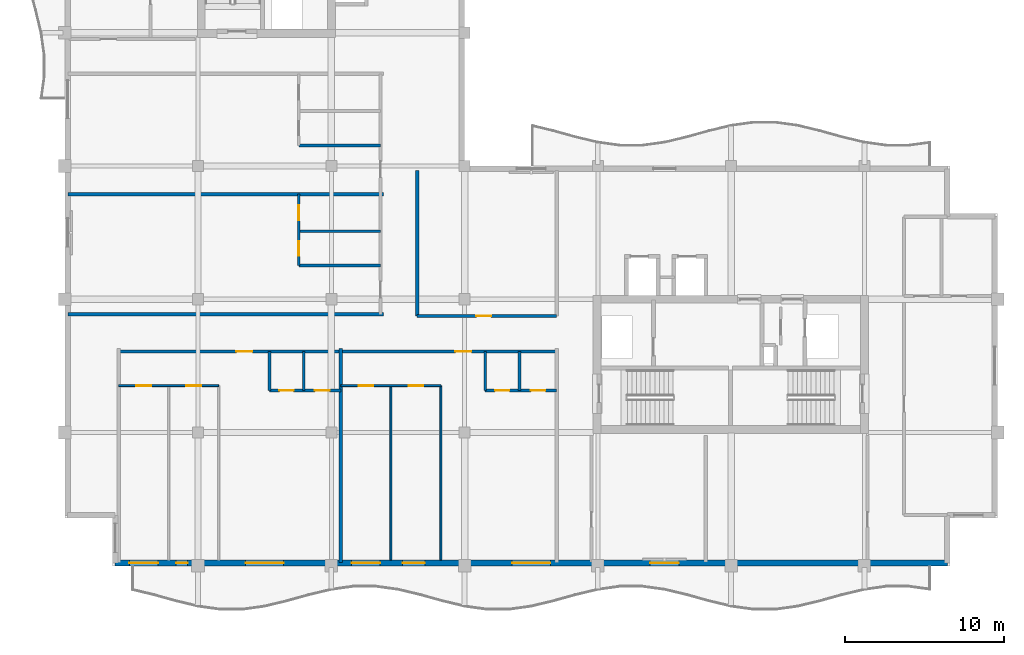
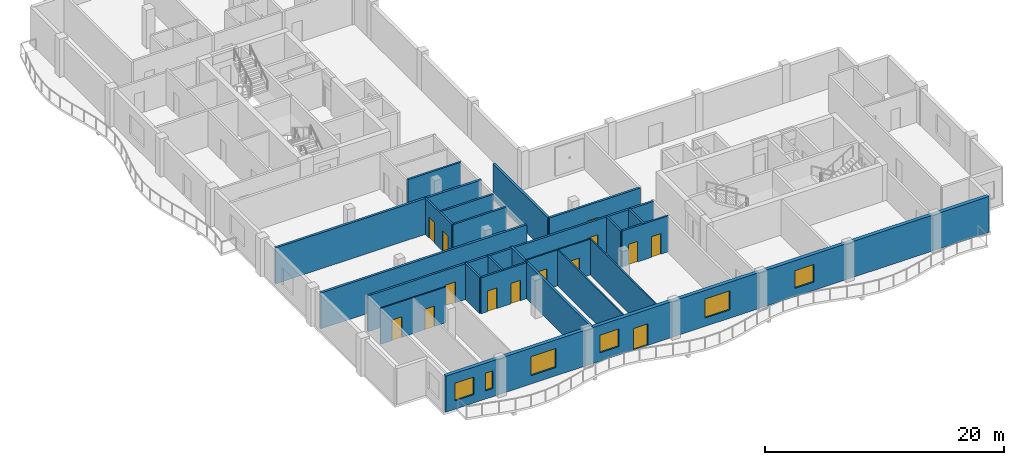
# One storey, part 3 of 12: 21 walls, 14 doors, 6 windows, 20 openings.
"""IFC4 building model written with IfcOpenShell, lengths in metres."""

from ifc_helpers import new_model, si_unit, direction, frame, frame_2d, origin, place, context, subcontext, project, spatial, rectangle, extrude, material, layer, layer_set, type_object, element, fill, save


model = new_model("IFC4")

# Units and contexts
model_context = context("Model", 3, precision=1e-05, world=origin(), true_north=direction((0.0, 1.0)))
body_context = subcontext(model_context, "Body", "Model", "MODEL_VIEW")
ifc_project = project(units=[si_unit("LENGTHUNIT", "METRE"), si_unit("AREAUNIT", "SQUARE_METRE"), si_unit("VOLUMEUNIT", "CUBIC_METRE"), si_unit("PLANEANGLEUNIT", "RADIAN"), si_unit("MASSUNIT", "GRAM", prefix="KILO")], contexts=[model_context])

# Site, building, storey
site_placement = place(None, origin())
site = spatial("IfcSite", under=ifc_project, at=site_placement, CompositionType="ELEMENT")
building_placement = place(site_placement, origin())
building = spatial("IfcBuilding", under=site, at=building_placement, Name="Koriwani Terraces Tower", CompositionType="ELEMENT")
storey_placement = place(building_placement, frame((0.0, 0.0, 328.10009765625)))
storey = spatial("IfcBuildingStorey", under=building, at=storey_placement, Name="L81", CompositionType="ELEMENT", Elevation=328.10009765625)

# Wall, opening, door
ifc_material_1 = material(Name="Autoclaved Cellular Concrete Blockwork", Category="masonry")
ifc_layer_1 = layer(ifc_material_1, 0.199951171875, Name="Autoclaved Cellular Concrete Blockwork")
ifc_layer_set_1 = layer_set([ifc_layer_1], Name="Autoclaved Cellular Concrete Blockwork")
wall_type_1 = type_object("IfcWallType", Name="WALL_CORRIDOR_200", PredefinedType="PARTITIONING", material=ifc_layer_set_1)
wall_1_placement = place(storey_placement, frame((30.60009765625, 24.14990234375, 0.0), z_axis=(0.0, 0.0, 1.0), x_axis=(1.0, 0.0, 0.0)))
wall_1 = element("IfcWall", 1, at=wall_1_placement, inside=storey, type_object=wall_type_1, Name="L81 Interior Wall WIC4S-L81", PredefinedType="PARTITIONING", context=body_context, shape_type="SweptSolid", body=[
    extrude(rectangle(XDim=8.7998046875, YDim=0.199951171875, at=frame_2d((4.39990234375, 0.0))), origin(), (0.0, 0.0, 1.0), 3.669921875),
])
opening_1_placement = place(wall_1_placement, frame((3.75, 0.0, 0.0)))
opening_1 = element("IfcOpeningElement", 2, at=opening_1_placement, cuts=wall_1, Name="Opening D-06", PredefinedType="OPENING", context=body_context, shape_type="SweptSolid", body=[
    extrude(rectangle(XDim=0.919921875, YDim=2.10009765625, at=frame_2d((0.4599609375, 1.050048828125))), frame((0.0, 0.10986328125, 0.0), z_axis=(0.0, -1.0, 0.0), x_axis=(1.0, 0.0, 0.0)), (0.0, 0.0, 1.0), 0.219970703125),
])
ifc_material_2 = material(Name="Architectural Oak Fire Door", Category="wood")
door_type_1 = type_object("IfcDoorType", Name="DOOR_ROOM_INT_920X2100", OperationType="NOTDEFINED", PredefinedType="DOOR", material=ifc_material_2)
door_1_placement = place(opening_1_placement, origin())
door_1 = element("IfcDoor", 3, at=door_1_placement, inside=storey, type_object=door_type_1, Name="L81 High-Rise Court Lounge Door", OperationType="SINGLE_SWING_LEFT", OverallHeight=2.10009765625, OverallWidth=0.919921875, PredefinedType="DOOR", context=body_context, shape_type="SweptSolid", body=[
    extrude(rectangle(XDim=0.919921875, YDim=2.10009765625, at=frame_2d((0.4599609375, 1.050048828125))), frame((0.0, 0.02490234375, 0.0), z_axis=(0.0, -1.0, 0.0), x_axis=(1.0, 0.0, 0.0)), (0.0, 0.0, 1.0), 0.050048828125),
])
fill(opening_1, door_1)

# Wall, openings, doors
wall_2_placement = place(storey_placement, frame((11.800048828125, 21.89990234375, 0.0), z_axis=(0.0, 0.0, 1.0), x_axis=(1.0, 0.0, 0.0)))
wall_2 = element("IfcWall", 4, at=wall_2_placement, inside=storey, type_object=wall_type_1, Name="L81 Interior Wall WRCOR-L81-SW-0", PredefinedType="PARTITIONING", context=body_context, shape_type="SweptSolid", body=[
    extrude(rectangle(XDim=27.599853515625, YDim=0.199951171875, at=frame_2d((13.7998046875, 0.0))), origin(), (0.0, 0.0, 1.0), 3.669921875),
])
opening_2_placement = place(wall_2_placement, frame((7.419921875, 0.0, 0.0)))
opening_2 = element("IfcOpeningElement", 5, at=opening_2_placement, cuts=wall_2, Name="Opening D-05", PredefinedType="OPENING", context=body_context, shape_type="SweptSolid", body=[
    extrude(rectangle(XDim=1.0, YDim=2.14990234375, at=frame_2d((0.5, 1.074951171875))), frame((0.0, 0.10986328125, 0.0), z_axis=(0.0, -1.0, 0.0), x_axis=(1.0, 0.0, 0.0)), (0.0, 0.0, 1.0), 0.219970703125),
])
opening_3_placement = place(wall_2_placement, frame((21.219970703125, 0.0, 0.0)))
opening_3 = element("IfcOpeningElement", 6, at=opening_3_placement, cuts=wall_2, Name="Opening D-05", PredefinedType="OPENING", context=body_context, shape_type="SweptSolid", body=[
    extrude(rectangle(XDim=1.0, YDim=2.14990234375, at=frame_2d((0.5, 1.074951171875))), frame((0.0, 0.10986328125, 0.0), z_axis=(0.0, -1.0, 0.0), x_axis=(1.0, 0.0, 0.0)), (0.0, 0.0, 1.0), 0.219970703125),
])
door_type_2 = type_object("IfcDoorType", Name="DOOR_SUITE_ENTRY_1000X2150", OperationType="NOTDEFINED", PredefinedType="DOOR", material=ifc_material_2)
door_2_placement = place(opening_2_placement, origin())
door_2 = element("IfcDoor", 7, at=door_2_placement, inside=storey, type_object=door_type_2, Name="Apartment 81SW1 Entrance Door", OperationType="SINGLE_SWING_RIGHT", OverallHeight=2.14990234375, OverallWidth=1.0, PredefinedType="DOOR", context=body_context, shape_type="SweptSolid", body=[
    extrude(rectangle(XDim=1.0, YDim=2.14990234375, at=frame_2d((0.5, 1.074951171875))), frame((0.0, 0.02490234375, 0.0), z_axis=(0.0, -1.0, 0.0), x_axis=(1.0, 0.0, 0.0)), (0.0, 0.0, 1.0), 0.050048828125),
])
fill(opening_2, door_2)
door_3_placement = place(opening_3_placement, origin())
door_3 = element("IfcDoor", 8, at=door_3_placement, inside=storey, type_object=door_type_2, Name="Apartment 81SW2 Entrance Door", OperationType="SINGLE_SWING_LEFT", OverallHeight=2.14990234375, OverallWidth=1.0, PredefinedType="DOOR", context=body_context, shape_type="SweptSolid", body=[
    extrude(rectangle(XDim=1.0, YDim=2.14990234375, at=frame_2d((0.5, 1.074951171875))), frame((0.0, 0.02490234375, 0.0), z_axis=(0.0, -1.0, 0.0), x_axis=(1.0, 0.0, 0.0)), (0.0, 0.0, 1.0), 0.050048828125),
])
fill(opening_3, door_3)

# Walls
ifc_layer_2 = layer(ifc_material_1, 0.219970703125, Name="Autoclaved Cellular Concrete Blockwork")
ifc_layer_set_2 = layer_set([ifc_layer_2], Name="Autoclaved Cellular Concrete Blockwork")
wall_type_2 = type_object("IfcWallType", Name="WALL_DEMISING_220", PredefinedType="PARTITIONING", material=ifc_layer_set_2)
wall_3_placement = place(storey_placement, frame((30.60009765625, 24.14990234375, 0.0), z_axis=(0.0, 0.0, 1.0), x_axis=(0.0, 1.0, 0.0)))
element("IfcWall", 9, at=wall_3_placement, inside=storey, type_object=wall_type_2, Name="L81 Interior Wall WIC4SW-L81", PredefinedType="PARTITIONING", context=body_context, shape_type="SweptSolid", body=[
    extrude(rectangle(XDim=9.150146484375, YDim=0.219970703125, at=frame_2d((4.5751953125, 0.0))), origin(), (0.0, 0.0, 1.0), 3.669921875),
])
wall_4_placement = place(storey_placement, frame((25.800048828125, 8.60009765625, 0.0), z_axis=(0.0, 0.0, 1.0), x_axis=(0.0, 1.0, 0.0)))
element("IfcWall", 10, at=wall_4_placement, inside=storey, type_object=wall_type_2, Name="L81 Interior Wall WRDEM-L81-SW-1", PredefinedType="PARTITIONING", context=body_context, shape_type="SweptSolid", body=[
    extrude(rectangle(XDim=13.47998046875, YDim=0.219970703125, at=frame_2d((6.739990234375, 0.0))), origin(), (0.0, 0.0, 1.0), 3.669921875),
])
for number, where, z_axis, x_axis, name in (
    (11, (8.60009765625, 24.25, 0.0), (0.0, 0.0, 1.0), (1.0, 0.0, 0.0), "L81 Interior Wall WRDEM-L81-NE-0"),
    (12, (8.60009765625, 31.824951171875, 0.0), (0.0, 0.0, 1.0), (1.0, 0.0, 0.0), "L81 Interior Wall WRDEM-L81-NE-1"),
):
    element("IfcWall", number, at=place(storey_placement, frame(where, z_axis=z_axis, x_axis=x_axis)), inside=storey, type_object=wall_type_2, Name=name, PredefinedType="PARTITIONING", context=body_context, shape_type="SweptSolid", body=[
        extrude(rectangle(XDim=19.8798828125, YDim=0.219970703125, at=frame_2d((9.93994140625, 0.0))), origin(), (0.0, 0.0, 1.0), 3.669921875),
    ])

# Wall, openings, door, windows
ifc_material_3 = material(Name="Concrete C50/60", Category="concrete")
ifc_layer_3 = layer(ifc_material_3, 0.35009765625, Name="Concrete C50/60")
ifc_layer_set_3 = layer_set([ifc_layer_3], Name="Concrete C50/60")
wall_type_3 = type_object("IfcWallType", Name="WALL_EXT_BRUTALIST_350", PredefinedType="STANDARD", material=ifc_layer_set_3)
wall_5_placement = place(storey_placement, frame((64.02490234375, 8.574951171875, 0.0), z_axis=(0.0, 0.0, 1.0), x_axis=(-1.0, 0.0, 0.0)))
wall_5 = element("IfcWall", 13, at=wall_5_placement, inside=storey, type_object=wall_type_3, Name="L81 Fair-Faced Brutalist Exterior Wall (S)", PredefinedType="STANDARD", context=body_context, shape_type="SweptSolid", body=[
    extrude(rectangle(XDim=52.449951171875, YDim=0.35009765625, at=frame_2d((26.22509765625, 0.0))), origin(), (0.0, 0.0, 1.0), 3.669921875),
])
opening_4_placement = place(wall_5_placement, frame((32.925048828125, 0.0, 0.0)))
opening_4 = element("IfcOpeningElement", 14, at=opening_4_placement, cuts=wall_5, Name="Opening D-09", PredefinedType="OPENING", context=body_context, shape_type="SweptSolid", body=[
    extrude(rectangle(XDim=1.39990234375, YDim=2.199951171875, at=frame_2d((0.699951171875, 1.10009765625))), frame((0.0, 0.18505859375, 0.0), z_axis=(0.0, -1.0, 0.0), x_axis=(1.0, 0.0, 0.0)), (0.0, 0.0, 1.0), 0.3701171875),
])
opening_5_placement = place(wall_5_placement, frame((41.824951171875, 0.0, 0.85009765625)))
opening_5 = element("IfcOpeningElement", 15, at=opening_5_placement, cuts=wall_5, Name="Opening W-03", PredefinedType="OPENING", context=body_context, shape_type="SweptSolid", body=[
    extrude(rectangle(XDim=2.39990234375, YDim=1.949951171875, at=frame_2d((1.199951171875, 0.97509765625))), frame((0.0, 0.18505859375, 0.0), z_axis=(0.0, -1.0, 0.0), x_axis=(1.0, 0.0, 0.0)), (0.0, 0.0, 1.0), 0.3701171875),
])
opening_6_placement = place(wall_5_placement, frame((25.02490234375, 0.0, 0.85009765625)))
opening_6 = element("IfcOpeningElement", 16, at=opening_6_placement, cuts=wall_5, Name="Opening W-03", PredefinedType="OPENING", context=body_context, shape_type="SweptSolid", body=[
    extrude(rectangle(XDim=2.39990234375, YDim=1.949951171875, at=frame_2d((1.199951171875, 0.97509765625))), frame((0.0, 0.18505859375, 0.0), z_axis=(0.0, -1.0, 0.0), x_axis=(1.0, 0.0, 0.0)), (0.0, 0.0, 1.0), 0.3701171875),
])
opening_7_placement = place(wall_5_placement, frame((16.925048828125, 0.0, 0.85009765625)))
opening_7 = element("IfcOpeningElement", 17, at=opening_7_placement, cuts=wall_5, Name="Opening W-04", PredefinedType="OPENING", context=body_context, shape_type="SweptSolid", body=[
    extrude(rectangle(XDim=1.800048828125, YDim=1.800048828125, at=frame_2d((0.89990234375, 0.89990234375))), frame((0.0, 0.18505859375, 0.0), z_axis=(0.0, -1.0, 0.0), x_axis=(1.0, 0.0, 0.0)), (0.0, 0.0, 1.0), 0.3701171875),
])
opening_8_placement = place(wall_5_placement, frame((49.75, 0.0, 0.85009765625)))
opening_8 = element("IfcOpeningElement", 18, at=opening_8_placement, cuts=wall_5, Name="Opening W-04", PredefinedType="OPENING", context=body_context, shape_type="SweptSolid", body=[
    extrude(rectangle(XDim=1.800048828125, YDim=1.800048828125, at=frame_2d((0.89990234375, 0.89990234375))), frame((0.0, 0.18505859375, 0.0), z_axis=(0.0, -1.0, 0.0), x_axis=(1.0, 0.0, 0.0)), (0.0, 0.0, 1.0), 0.3701171875),
])
opening_9_placement = place(wall_5_placement, frame((47.889892578125, 0.0, 0.85009765625)))
opening_9 = element("IfcOpeningElement", 19, at=opening_9_placement, cuts=wall_5, Name="Opening W-08", PredefinedType="OPENING", context=body_context, shape_type="SweptSolid", body=[
    extrude(rectangle(XDim=0.719970703125, YDim=1.800048828125, at=frame_2d((0.35986328125, 0.89990234375))), frame((0.0, 0.18505859375, 0.0), z_axis=(0.0, -1.0, 0.0), x_axis=(1.0, 0.0, 0.0)), (0.0, 0.0, 1.0), 0.3701171875),
])
opening_10_placement = place(wall_5_placement, frame((35.75, 0.0, 0.85009765625)))
opening_10 = element("IfcOpeningElement", 20, at=opening_10_placement, cuts=wall_5, Name="Opening W-04", PredefinedType="OPENING", context=body_context, shape_type="SweptSolid", body=[
    extrude(rectangle(XDim=1.800048828125, YDim=1.800048828125, at=frame_2d((0.89990234375, 0.89990234375))), frame((0.0, 0.18505859375, 0.0), z_axis=(0.0, -1.0, 0.0), x_axis=(1.0, 0.0, 0.0)), (0.0, 0.0, 1.0), 0.3701171875),
])
ifc_material_4 = material(Name="Anodised Bronze Aluminium", Category="aluminium")
door_type_3 = type_object("IfcDoorType", Name="DOOR_BALCONY_GLAZED_1400X2200", OperationType="NOTDEFINED", PredefinedType="DOOR", material=ifc_material_4)
door_4_placement = place(opening_4_placement, origin())
door_4 = element("IfcDoor", 21, at=door_4_placement, inside=storey, type_object=door_type_3, Name="L81 South Balcony Glazed Door", OperationType="SINGLE_SWING_LEFT", OverallHeight=2.199951171875, OverallWidth=1.39990234375, PredefinedType="DOOR", context=body_context, shape_type="SweptSolid", body=[
    extrude(rectangle(XDim=1.39990234375, YDim=2.199951171875, at=frame_2d((0.699951171875, 1.10009765625))), frame((0.0, 0.02490234375, 0.0), z_axis=(0.0, -1.0, 0.0), x_axis=(1.0, 0.0, 0.0)), (0.0, 0.0, 1.0), 0.050048828125),
])
fill(opening_4, door_4)
ifc_material_5 = material(Name="Tempered Laminated Low-E Glass", Category="glass")
window_type_1 = type_object("IfcWindowType", Name="WIN_RES_BED_1800X1800", PartitioningType="DOUBLE_PANEL_VERTICAL", PredefinedType="WINDOW", material=ifc_material_5)
window_1_placement = place(opening_7_placement, origin())
window_1 = element("IfcWindow", 22, at=window_1_placement, inside=storey, type_object=window_type_1, Name="L81 Exterior Window (S-12)", OverallHeight=1.800048828125, OverallWidth=1.800048828125, PartitioningType="SINGLE_PANEL", PredefinedType="WINDOW", context=body_context, shape_type="SweptSolid", body=[
    extrude(rectangle(XDim=1.800048828125, YDim=1.800048828125, at=frame_2d((0.89990234375, 0.89990234375))), frame((0.0, 0.030029296875, 0.0), z_axis=(0.0, -1.0, 0.0), x_axis=(1.0, 0.0, 0.0)), (0.0, 0.0, 1.0), 0.06005859375),
])
fill(opening_7, window_1)
window_2_placement = place(opening_8_placement, origin())
window_2 = element("IfcWindow", 23, at=window_2_placement, inside=storey, type_object=window_type_1, Name="L81 Exterior Window (S-R32)", OverallHeight=1.800048828125, OverallWidth=1.800048828125, PartitioningType="SINGLE_PANEL", PredefinedType="WINDOW", context=body_context, shape_type="SweptSolid", body=[
    extrude(rectangle(XDim=1.800048828125, YDim=1.800048828125, at=frame_2d((0.89990234375, 0.89990234375))), frame((0.0, 0.030029296875, 0.0), z_axis=(0.0, -1.0, 0.0), x_axis=(1.0, 0.0, 0.0)), (0.0, 0.0, 1.0), 0.06005859375),
])
fill(opening_8, window_2)
window_3_placement = place(opening_10_placement, origin())
window_3 = element("IfcWindow", 24, at=window_3_placement, inside=storey, type_object=window_type_1, Name="L81 Exterior Window (S-R37)", OverallHeight=1.800048828125, OverallWidth=1.800048828125, PartitioningType="SINGLE_PANEL", PredefinedType="WINDOW", context=body_context, shape_type="SweptSolid", body=[
    extrude(rectangle(XDim=1.800048828125, YDim=1.800048828125, at=frame_2d((0.89990234375, 0.89990234375))), frame((0.0, 0.030029296875, 0.0), z_axis=(0.0, -1.0, 0.0), x_axis=(1.0, 0.0, 0.0)), (0.0, 0.0, 1.0), 0.06005859375),
])
fill(opening_10, window_3)
window_type_2 = type_object("IfcWindowType", Name="WIN_RES_CASEMENT_1200X1800", PartitioningType="SINGLE_PANEL", PredefinedType="WINDOW", material=ifc_material_5)
window_4_placement = place(opening_9_placement, origin())
window_4 = element("IfcWindow", 25, at=window_4_placement, inside=storey, type_object=window_type_2, Name="L81 Exterior Window (S-R33)", OverallHeight=1.800048828125, OverallWidth=0.719970703125, PartitioningType="SINGLE_PANEL", PredefinedType="WINDOW", context=body_context, shape_type="SweptSolid", body=[
    extrude(rectangle(XDim=0.719970703125, YDim=1.800048828125, at=frame_2d((0.35986328125, 0.89990234375))), frame((0.0, 0.030029296875, 0.0), z_axis=(0.0, -1.0, 0.0), x_axis=(1.0, 0.0, 0.0)), (0.0, 0.0, 1.0), 0.06005859375),
])
fill(opening_9, window_4)
window_type_3 = type_object("IfcWindowType", Name="WIN_RES_LIVING_2400X1950", PartitioningType="DOUBLE_PANEL_VERTICAL", PredefinedType="WINDOW", material=ifc_material_5)
window_5_placement = place(opening_5_placement, origin())
window_5 = element("IfcWindow", 26, at=window_5_placement, inside=storey, type_object=window_type_3, Name="L81 Exterior Window (S-3)", OverallHeight=1.949951171875, OverallWidth=2.39990234375, PartitioningType="SINGLE_PANEL", PredefinedType="WINDOW", context=body_context, shape_type="SweptSolid", body=[
    extrude(rectangle(XDim=2.39990234375, YDim=1.949951171875, at=frame_2d((1.199951171875, 0.97509765625))), frame((0.0, 0.030029296875, 0.0), z_axis=(0.0, -1.0, 0.0), x_axis=(1.0, 0.0, 0.0)), (0.0, 0.0, 1.0), 0.06005859375),
])
fill(opening_5, window_5)
window_6_placement = place(opening_6_placement, origin())
window_6 = element("IfcWindow", 27, at=window_6_placement, inside=storey, type_object=window_type_3, Name="L81 Exterior Window (S-9)", OverallHeight=1.949951171875, OverallWidth=2.39990234375, PartitioningType="SINGLE_PANEL", PredefinedType="WINDOW", context=body_context, shape_type="SweptSolid", body=[
    extrude(rectangle(XDim=2.39990234375, YDim=1.949951171875, at=frame_2d((1.199951171875, 0.97509765625))), frame((0.0, 0.030029296875, 0.0), z_axis=(0.0, -1.0, 0.0), x_axis=(1.0, 0.0, 0.0)), (0.0, 0.0, 1.0), 0.06005859375),
])
fill(opening_6, window_6)

# Wall, openings, doors
ifc_material_6 = material(Name="Fire-Rated Acoustic Gypsum Partition", Category="masonry")
ifc_layer_4 = layer(ifc_material_6, 0.125, Name="Fire-Rated Acoustic Gypsum Partition")
ifc_layer_set_4 = layer_set([ifc_layer_4], Name="Fire-Rated Acoustic Gypsum Partition")
wall_type_4 = type_object("IfcWallType", Name="WALL_INT_125", PredefinedType="PARTITIONING", material=ifc_layer_set_4)
wall_6_placement = place(storey_placement, frame((11.800048828125, 19.75, 0.0), z_axis=(0.0, 0.0, 1.0), x_axis=(1.0, 0.0, 0.0)))
wall_6 = element("IfcWall", 28, at=wall_6_placement, inside=storey, type_object=wall_type_4, Name="L81 Interior Wall WRBH-L81-SW-0", PredefinedType="PARTITIONING", context=body_context, shape_type="SweptSolid", body=[
    extrude(rectangle(XDim=6.300048828125, YDim=0.125, at=frame_2d((3.14990234375, 0.0))), origin(), (0.0, 0.0, 1.0), 3.669921875),
])
opening_11_placement = place(wall_6_placement, frame((1.114990234375, 0.0, 0.0)))
opening_11 = element("IfcOpeningElement", 29, at=opening_11_placement, cuts=wall_6, Name="Opening D-06", PredefinedType="OPENING", context=body_context, shape_type="SweptSolid", body=[
    extrude(rectangle(XDim=0.919921875, YDim=2.10009765625, at=frame_2d((0.4599609375, 1.050048828125))), frame((0.0, 0.072509765625, 0.0), z_axis=(0.0, -1.0, 0.0), x_axis=(1.0, 0.0, 0.0)), (0.0, 0.0, 1.0), 0.14501953125),
])
opening_12_placement = place(wall_6_placement, frame((4.264892578125, 0.0, 0.0)))
opening_12 = element("IfcOpeningElement", 30, at=opening_12_placement, cuts=wall_6, Name="Opening D-06", PredefinedType="OPENING", context=body_context, shape_type="SweptSolid", body=[
    extrude(rectangle(XDim=0.919921875, YDim=2.10009765625, at=frame_2d((0.4599609375, 1.050048828125))), frame((0.0, 0.072509765625, 0.0), z_axis=(0.0, -1.0, 0.0), x_axis=(1.0, 0.0, 0.0)), (0.0, 0.0, 1.0), 0.14501953125),
])
door_5_placement = place(opening_11_placement, origin())
door_5 = element("IfcDoor", 31, at=door_5_placement, inside=storey, type_object=door_type_1, Name="Apartment 81SW1 Master Bedroom Door", OperationType="SINGLE_SWING_LEFT", OverallHeight=2.10009765625, OverallWidth=0.919921875, PredefinedType="DOOR", context=body_context, shape_type="SweptSolid", body=[
    extrude(rectangle(XDim=0.919921875, YDim=2.10009765625, at=frame_2d((0.4599609375, 1.050048828125))), frame((0.0, 0.02490234375, 0.0), z_axis=(0.0, -1.0, 0.0), x_axis=(1.0, 0.0, 0.0)), (0.0, 0.0, 1.0), 0.050048828125),
])
fill(opening_11, door_5)
door_6_placement = place(opening_12_placement, origin())
door_6 = element("IfcDoor", 32, at=door_6_placement, inside=storey, type_object=door_type_1, Name="Apartment 81SW1 Bedroom 2 Door", OperationType="SINGLE_SWING_RIGHT", OverallHeight=2.10009765625, OverallWidth=0.919921875, PredefinedType="DOOR", context=body_context, shape_type="SweptSolid", body=[
    extrude(rectangle(XDim=0.919921875, YDim=2.10009765625, at=frame_2d((0.4599609375, 1.050048828125))), frame((0.0, 0.02490234375, 0.0), z_axis=(0.0, -1.0, 0.0), x_axis=(1.0, 0.0, 0.0)), (0.0, 0.0, 1.0), 0.050048828125),
])
fill(opening_12, door_6)

# Walls
for number, where, z_axis, x_axis, name in (
    (33, (28.949951171875, 8.75, 0.0), (0.0, 0.0, 1.0), (0.0, 1.0, 0.0), "L81 Interior Wall WRB12-L81-SW-1"),
    (34, (32.10009765625, 8.75, 0.0), (0.0, 0.0, 1.0), (0.0, 1.0, 0.0), "L81 Interior Wall WRB2L-L81-SW-1"),
):
    element("IfcWall", number, at=place(storey_placement, frame(where, z_axis=z_axis, x_axis=x_axis)), inside=storey, type_object=wall_type_4, Name=name, PredefinedType="PARTITIONING", context=body_context, shape_type="SweptSolid", body=[
        extrude(rectangle(XDim=11.0, YDim=0.125, at=frame_2d((5.5, 0.0))), origin(), (0.0, 0.0, 1.0), 3.669921875),
    ])

# Wall, openings, doors
wall_7_placement = place(storey_placement, frame((25.800048828125, 19.75, 0.0), z_axis=(0.0, 0.0, 1.0), x_axis=(1.0, 0.0, 0.0)))
wall_7 = element("IfcWall", 35, at=wall_7_placement, inside=storey, type_object=wall_type_4, Name="L81 Interior Wall WRBH-L81-SW-1", PredefinedType="PARTITIONING", context=body_context, shape_type="SweptSolid", body=[
    extrude(rectangle(XDim=6.300048828125, YDim=0.125, at=frame_2d((3.14990234375, 0.0))), origin(), (0.0, 0.0, 1.0), 3.669921875),
])
opening_13_placement = place(wall_7_placement, frame((1.114990234375, 0.0, 0.0)))
opening_13 = element("IfcOpeningElement", 36, at=opening_13_placement, cuts=wall_7, Name="Opening D-06", PredefinedType="OPENING", context=body_context, shape_type="SweptSolid", body=[
    extrude(rectangle(XDim=0.919921875, YDim=2.10009765625, at=frame_2d((0.4599609375, 1.050048828125))), frame((0.0, 0.072509765625, 0.0), z_axis=(0.0, -1.0, 0.0), x_axis=(1.0, 0.0, 0.0)), (0.0, 0.0, 1.0), 0.14501953125),
])
opening_14_placement = place(wall_7_placement, frame((4.264892578125, 0.0, 0.0)))
opening_14 = element("IfcOpeningElement", 37, at=opening_14_placement, cuts=wall_7, Name="Opening D-06", PredefinedType="OPENING", context=body_context, shape_type="SweptSolid", body=[
    extrude(rectangle(XDim=0.919921875, YDim=2.10009765625, at=frame_2d((0.4599609375, 1.050048828125))), frame((0.0, 0.072509765625, 0.0), z_axis=(0.0, -1.0, 0.0), x_axis=(1.0, 0.0, 0.0)), (0.0, 0.0, 1.0), 0.14501953125),
])
door_7_placement = place(opening_13_placement, origin())
door_7 = element("IfcDoor", 38, at=door_7_placement, inside=storey, type_object=door_type_1, Name="Apartment 81SW2 Master Bedroom Door", OperationType="SINGLE_SWING_RIGHT", OverallHeight=2.10009765625, OverallWidth=0.919921875, PredefinedType="DOOR", context=body_context, shape_type="SweptSolid", body=[
    extrude(rectangle(XDim=0.919921875, YDim=2.10009765625, at=frame_2d((0.4599609375, 1.050048828125))), frame((0.0, 0.02490234375, 0.0), z_axis=(0.0, -1.0, 0.0), x_axis=(1.0, 0.0, 0.0)), (0.0, 0.0, 1.0), 0.050048828125),
])
fill(opening_13, door_7)
door_8_placement = place(opening_14_placement, origin())
door_8 = element("IfcDoor", 39, at=door_8_placement, inside=storey, type_object=door_type_1, Name="Apartment 81SW2 Bedroom 2 Door", OperationType="SINGLE_SWING_LEFT", OverallHeight=2.10009765625, OverallWidth=0.919921875, PredefinedType="DOOR", context=body_context, shape_type="SweptSolid", body=[
    extrude(rectangle(XDim=0.919921875, YDim=2.10009765625, at=frame_2d((0.4599609375, 1.050048828125))), frame((0.0, 0.02490234375, 0.0), z_axis=(0.0, -1.0, 0.0), x_axis=(1.0, 0.0, 0.0)), (0.0, 0.0, 1.0), 0.050048828125),
])
fill(opening_14, door_8)

ifc_layer_5 = layer(ifc_material_6, 0.179931640625, Name="Fire-Rated Acoustic Gypsum Partition")
ifc_layer_set_5 = layer_set([ifc_layer_5], Name="Fire-Rated Acoustic Gypsum Partition")
wall_type_5 = type_object("IfcWallType", Name="WALL_PLUMBING_180", PredefinedType="PLUMBINGWALL", material=ifc_layer_set_5)
wall_8_placement = place(storey_placement, frame((21.300048828125, 19.449951171875, 0.0), z_axis=(0.0, 0.0, 1.0), x_axis=(1.0, 0.0, 0.0)))
wall_8 = element("IfcWall", 40, at=wall_8_placement, inside=storey, type_object=wall_type_5, Name="L81 Interior Wall WRSVC-L81-SW-0", PredefinedType="PLUMBINGWALL", context=body_context, shape_type="SweptSolid", body=[
    extrude(rectangle(XDim=4.5, YDim=0.179931640625, at=frame_2d((2.25, 0.0))), origin(), (0.0, 0.0, 1.0), 3.669921875),
])
opening_15_placement = place(wall_8_placement, frame((0.6298828125, 0.0, 0.0)))
opening_15 = element("IfcOpeningElement", 41, at=opening_15_placement, cuts=wall_8, Name="Opening D-07", PredefinedType="OPENING", context=body_context, shape_type="SweptSolid", body=[
    extrude(rectangle(XDim=0.89990234375, YDim=2.10009765625, at=frame_2d((0.449951171875, 1.050048828125))), frame((0.0, 0.10009765625, 0.0), z_axis=(0.0, -1.0, 0.0), x_axis=(1.0, 0.0, 0.0)), (0.0, 0.0, 1.0), 0.199951171875),
])
opening_16_placement = place(wall_8_placement, frame((2.8701171875, 0.0, 0.0)))
opening_16 = element("IfcOpeningElement", 42, at=opening_16_placement, cuts=wall_8, Name="Opening D-06", PredefinedType="OPENING", context=body_context, shape_type="SweptSolid", body=[
    extrude(rectangle(XDim=0.919921875, YDim=2.10009765625, at=frame_2d((0.4599609375, 1.050048828125))), frame((0.0, 0.10009765625, 0.0), z_axis=(0.0, -1.0, 0.0), x_axis=(1.0, 0.0, 0.0)), (0.0, 0.0, 1.0), 0.199951171875),
])
door_type_4 = type_object("IfcDoorType", Name="DOOR_BATH_INT_900X2100", OperationType="NOTDEFINED", PredefinedType="DOOR", material=ifc_material_2)
door_9_placement = place(opening_15_placement, origin())
door_9 = element("IfcDoor", 43, at=door_9_placement, inside=storey, type_object=door_type_4, Name="Apartment 81SW1 Bathroom Door", OperationType="SINGLE_SWING_LEFT", OverallHeight=2.10009765625, OverallWidth=0.89990234375, PredefinedType="DOOR", context=body_context, shape_type="SweptSolid", body=[
    extrude(rectangle(XDim=0.89990234375, YDim=2.10009765625, at=frame_2d((0.449951171875, 1.050048828125))), frame((0.0, 0.02490234375, 0.0), z_axis=(0.0, -1.0, 0.0), x_axis=(1.0, 0.0, 0.0)), (0.0, 0.0, 1.0), 0.050048828125),
])
fill(opening_15, door_9)
door_10_placement = place(opening_16_placement, origin())
door_10 = element("IfcDoor", 44, at=door_10_placement, inside=storey, type_object=door_type_1, Name="Apartment 81SW1 Kitchen Door", OperationType="SINGLE_SWING_RIGHT", OverallHeight=2.10009765625, OverallWidth=0.919921875, PredefinedType="DOOR", context=body_context, shape_type="SweptSolid", body=[
    extrude(rectangle(XDim=0.919921875, YDim=2.10009765625, at=frame_2d((0.4599609375, 1.050048828125))), frame((0.0, 0.02490234375, 0.0), z_axis=(0.0, -1.0, 0.0), x_axis=(1.0, 0.0, 0.0)), (0.0, 0.0, 1.0), 0.050048828125),
])
fill(opening_16, door_10)

# Walls
for number, where, z_axis, x_axis, name in (
    (45, (21.300048828125, 19.449951171875, 0.0), (0.0, 0.0, 1.0), (0.0, 1.0, 0.0), "L81 Interior Wall WRSVCS-L81-SW-0"),
    (46, (23.4599609375, 19.449951171875, 0.0), (0.0, 0.0, 1.0), (0.0, 1.0, 0.0), "L81 Interior Wall WRSVCM-L81-SW-0"),
):
    element("IfcWall", number, at=place(storey_placement, frame(where, z_axis=z_axis, x_axis=x_axis)), inside=storey, type_object=wall_type_5, Name=name, PredefinedType="PLUMBINGWALL", context=body_context, shape_type="SweptSolid", body=[
        extrude(rectangle(XDim=2.449951171875, YDim=0.179931640625, at=frame_2d((1.22509765625, 0.0))), origin(), (0.0, 0.0, 1.0), 3.669921875),
    ])

# Wall, openings, doors
wall_9_placement = place(storey_placement, frame((34.89990234375, 19.449951171875, 0.0), z_axis=(0.0, 0.0, 1.0), x_axis=(1.0, 0.0, 0.0)))
wall_9 = element("IfcWall", 47, at=wall_9_placement, inside=storey, type_object=wall_type_5, Name="L81 Interior Wall WRSVC-L81-SW-1", PredefinedType="PLUMBINGWALL", context=body_context, shape_type="SweptSolid", body=[
    extrude(rectangle(XDim=4.5, YDim=0.179931640625, at=frame_2d((2.25, 0.0))), origin(), (0.0, 0.0, 1.0), 3.669921875),
])
opening_17_placement = place(wall_9_placement, frame((0.6298828125, 0.0, 0.0)))
opening_17 = element("IfcOpeningElement", 48, at=opening_17_placement, cuts=wall_9, Name="Opening D-07", PredefinedType="OPENING", context=body_context, shape_type="SweptSolid", body=[
    extrude(rectangle(XDim=0.89990234375, YDim=2.10009765625, at=frame_2d((0.449951171875, 1.050048828125))), frame((0.0, 0.10009765625, 0.0), z_axis=(0.0, -1.0, 0.0), x_axis=(1.0, 0.0, 0.0)), (0.0, 0.0, 1.0), 0.199951171875),
])
opening_18_placement = place(wall_9_placement, frame((2.8701171875, 0.0, 0.0)))
opening_18 = element("IfcOpeningElement", 49, at=opening_18_placement, cuts=wall_9, Name="Opening D-06", PredefinedType="OPENING", context=body_context, shape_type="SweptSolid", body=[
    extrude(rectangle(XDim=0.919921875, YDim=2.10009765625, at=frame_2d((0.4599609375, 1.050048828125))), frame((0.0, 0.10009765625, 0.0), z_axis=(0.0, -1.0, 0.0), x_axis=(1.0, 0.0, 0.0)), (0.0, 0.0, 1.0), 0.199951171875),
])
door_11_placement = place(opening_17_placement, origin())
door_11 = element("IfcDoor", 50, at=door_11_placement, inside=storey, type_object=door_type_4, Name="Apartment 81SW2 Bathroom Door", OperationType="SINGLE_SWING_RIGHT", OverallHeight=2.10009765625, OverallWidth=0.89990234375, PredefinedType="DOOR", context=body_context, shape_type="SweptSolid", body=[
    extrude(rectangle(XDim=0.89990234375, YDim=2.10009765625, at=frame_2d((0.449951171875, 1.050048828125))), frame((0.0, 0.02490234375, 0.0), z_axis=(0.0, -1.0, 0.0), x_axis=(1.0, 0.0, 0.0)), (0.0, 0.0, 1.0), 0.050048828125),
])
fill(opening_17, door_11)
door_12_placement = place(opening_18_placement, origin())
door_12 = element("IfcDoor", 51, at=door_12_placement, inside=storey, type_object=door_type_1, Name="Apartment 81SW2 Kitchen Door", OperationType="SINGLE_SWING_LEFT", OverallHeight=2.10009765625, OverallWidth=0.919921875, PredefinedType="DOOR", context=body_context, shape_type="SweptSolid", body=[
    extrude(rectangle(XDim=0.919921875, YDim=2.10009765625, at=frame_2d((0.4599609375, 1.050048828125))), frame((0.0, 0.02490234375, 0.0), z_axis=(0.0, -1.0, 0.0), x_axis=(1.0, 0.0, 0.0)), (0.0, 0.0, 1.0), 0.050048828125),
])
fill(opening_18, door_12)

# Walls
for number, where, z_axis, x_axis, name in (
    (52, (34.89990234375, 19.449951171875, 0.0), (0.0, 0.0, 1.0), (0.0, 1.0, 0.0), "L81 Interior Wall WRSVCS-L81-SW-1"),
    (53, (37.06005859375, 19.449951171875, 0.0), (0.0, 0.0, 1.0), (0.0, 1.0, 0.0), "L81 Interior Wall WRSVCM-L81-SW-1"),
):
    element("IfcWall", number, at=place(storey_placement, frame(where, z_axis=z_axis, x_axis=x_axis)), inside=storey, type_object=wall_type_5, Name=name, PredefinedType="PLUMBINGWALL", context=body_context, shape_type="SweptSolid", body=[
        extrude(rectangle(XDim=2.449951171875, YDim=0.179931640625, at=frame_2d((1.22509765625, 0.0))), origin(), (0.0, 0.0, 1.0), 3.669921875),
    ])

# Wall, openings, doors
wall_10_placement = place(storey_placement, frame((23.14990234375, 27.324951171875, 0.0), z_axis=(0.0, 0.0, 1.0), x_axis=(0.0, 1.0, 0.0)))
wall_10 = element("IfcWall", 54, at=wall_10_placement, inside=storey, type_object=wall_type_5, Name="L81 Interior Wall WRSVC-L81-NE-0", PredefinedType="PLUMBINGWALL", context=body_context, shape_type="SweptSolid", body=[
    extrude(rectangle(XDim=4.5, YDim=0.179931640625, at=frame_2d((2.25, 0.0))), origin(), (0.0, 0.0, 1.0), 3.669921875),
])
opening_19_placement = place(wall_10_placement, frame((0.6298828125, 0.0, 0.0)))
opening_19 = element("IfcOpeningElement", 55, at=opening_19_placement, cuts=wall_10, Name="Opening D-07", PredefinedType="OPENING", context=body_context, shape_type="SweptSolid", body=[
    extrude(rectangle(XDim=0.89990234375, YDim=2.10009765625, at=frame_2d((0.449951171875, 1.050048828125))), frame((0.0, 0.10009765625, 0.0), z_axis=(0.0, -1.0, 0.0), x_axis=(1.0, 0.0, 0.0)), (0.0, 0.0, 1.0), 0.199951171875),
])
opening_20_placement = place(wall_10_placement, frame((2.8701171875, 0.0, 0.0)))
opening_20 = element("IfcOpeningElement", 56, at=opening_20_placement, cuts=wall_10, Name="Opening D-06", PredefinedType="OPENING", context=body_context, shape_type="SweptSolid", body=[
    extrude(rectangle(XDim=0.919921875, YDim=2.10009765625, at=frame_2d((0.4599609375, 1.050048828125))), frame((0.0, 0.10009765625, 0.0), z_axis=(0.0, -1.0, 0.0), x_axis=(1.0, 0.0, 0.0)), (0.0, 0.0, 1.0), 0.199951171875),
])
door_13_placement = place(opening_19_placement, origin())
door_13 = element("IfcDoor", 57, at=door_13_placement, inside=storey, type_object=door_type_4, Name="Apartment 81NE1 Bathroom Door", OperationType="SINGLE_SWING_LEFT", OverallHeight=2.10009765625, OverallWidth=0.89990234375, PredefinedType="DOOR", context=body_context, shape_type="SweptSolid", body=[
    extrude(rectangle(XDim=0.89990234375, YDim=2.10009765625, at=frame_2d((0.449951171875, 1.050048828125))), frame((0.0, 0.02490234375, 0.0), z_axis=(0.0, -1.0, 0.0), x_axis=(1.0, 0.0, 0.0)), (0.0, 0.0, 1.0), 0.050048828125),
])
fill(opening_19, door_13)
door_14_placement = place(opening_20_placement, origin())
door_14 = element("IfcDoor", 58, at=door_14_placement, inside=storey, type_object=door_type_1, Name="Apartment 81NE1 Kitchen Door", OperationType="SINGLE_SWING_RIGHT", OverallHeight=2.10009765625, OverallWidth=0.919921875, PredefinedType="DOOR", context=body_context, shape_type="SweptSolid", body=[
    extrude(rectangle(XDim=0.919921875, YDim=2.10009765625, at=frame_2d((0.4599609375, 1.050048828125))), frame((0.0, 0.02490234375, 0.0), z_axis=(0.0, -1.0, 0.0), x_axis=(1.0, 0.0, 0.0)), (0.0, 0.0, 1.0), 0.050048828125),
])
fill(opening_20, door_14)

# Walls
for number, where, z_axis, x_axis, name in (
    (59, (23.14990234375, 27.324951171875, 0.0), (0.0, 0.0, 1.0), (1.0, 0.0, 0.0), "L81 Interior Wall WRSVCS-L81-NE-0"),
    (60, (23.14990234375, 29.485107421875, 0.0), (0.0, 0.0, 1.0), (1.0, 0.0, 0.0), "L81 Interior Wall WRSVCM-L81-NE-0"),
    (61, (23.14990234375, 34.89990234375, 0.0), (0.0, 0.0, 1.0), (1.0, 0.0, 0.0), "L81 Interior Wall WRSVCS-L81-NE-1"),
):
    element("IfcWall", number, at=place(storey_placement, frame(where, z_axis=z_axis, x_axis=x_axis)), inside=storey, type_object=wall_type_5, Name=name, PredefinedType="PLUMBINGWALL", context=body_context, shape_type="SweptSolid", body=[
        extrude(rectangle(XDim=5.150146484375, YDim=0.179931640625, at=frame_2d((2.5751953125, 0.0))), origin(), (0.0, 0.0, 1.0), 3.669921875),
    ])

save(model, "model.ifc")
